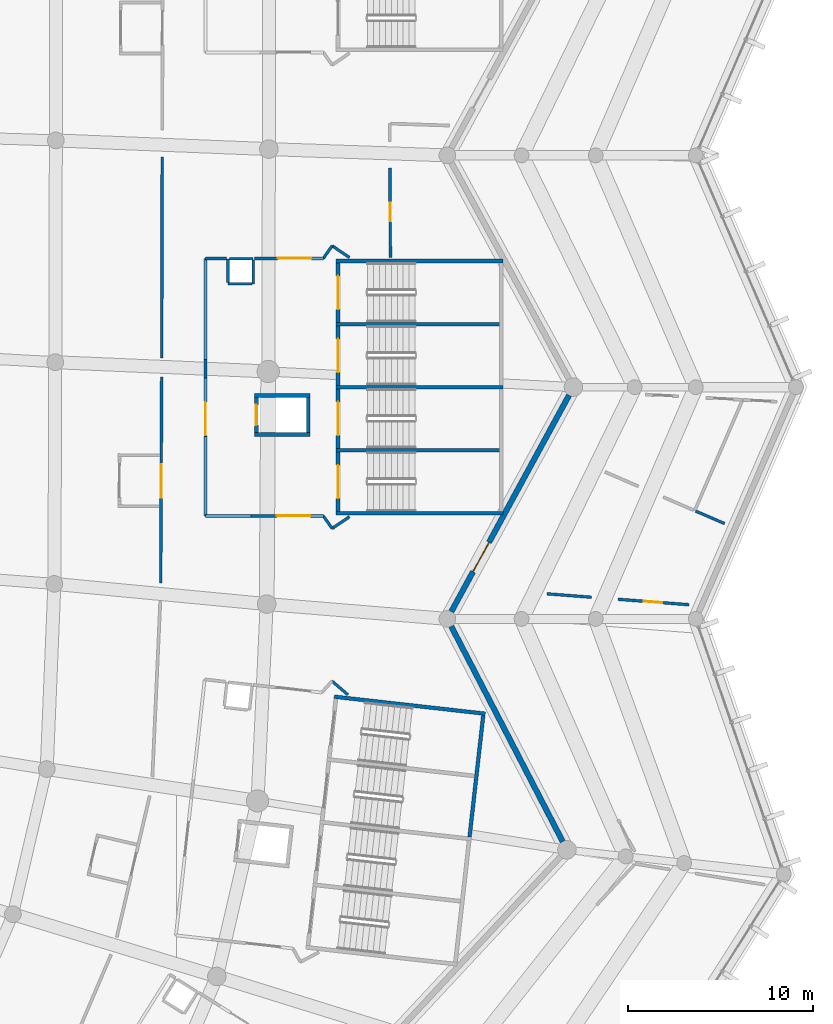
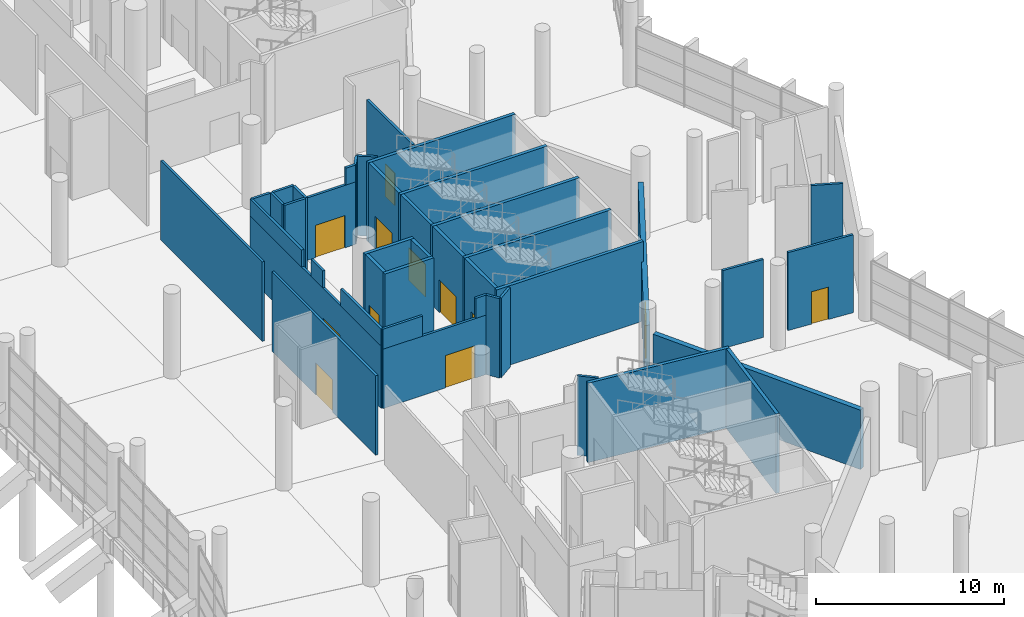
# One storey, part 177 of 271: 42 walls, 12 doors, 12 openings.
"""IFC4 building model written with IfcOpenShell, lengths in metres."""

from ifc_helpers import new_model, si_unit, direction, frame, frame_2d, origin, place, context, subcontext, project, spatial, rectangle, extrude, material, layer, layer_set, type_object, element, fill, save


model = new_model("IFC4")

# Units and contexts
model_context = context("Model", 3, precision=1e-05, world=origin(), true_north=direction((0.0, 1.0)))
body_context = subcontext(model_context, "Body", "Model", "MODEL_VIEW")
ifc_project = project(units=[si_unit("LENGTHUNIT", "METRE"), si_unit("AREAUNIT", "SQUARE_METRE"), si_unit("VOLUMEUNIT", "CUBIC_METRE"), si_unit("PLANEANGLEUNIT", "RADIAN"), si_unit("MASSUNIT", "GRAM", prefix="KILO")], contexts=[model_context])

# Site, building, storey
site_placement = place(None, origin())
site = spatial("IfcSite", under=ifc_project, at=site_placement, CompositionType="ELEMENT")
building_placement = place(site_placement, origin())
building = spatial("IfcBuilding", under=site, at=building_placement, Name="Meseta Stadium", CompositionType="ELEMENT")
storey_placement = place(building_placement, frame((0.0, 0.0, 6.5)))
storey = spatial("IfcBuildingStorey", under=building, at=storey_placement, Name="L01", CompositionType="ELEMENT", Elevation=6.5)

# Walls
ifc_material_1 = material(Name="Concrete C40/50", Category="concrete")
ifc_layer_1 = layer(ifc_material_1, 0.199951171875)
ifc_layer_set_1 = layer_set([ifc_layer_1], Name="Core divider wall 200")
wall_type_1 = type_object("IfcWallType", Name="Core divider wall 200", PredefinedType="SHEAR", material=ifc_layer_set_1)
for number, where, z_axis, x_axis, name in (
    (1, (97.60009765625, -34.64990234375, 0.0), (0.0, 0.0, 1.0), (-1.0, 0.0, 0.0), "Core 02 L01 stair A divider wall"),
    (2, (97.60009765625, -27.85009765625, 0.0), (0.0, 0.0, 1.0), (-1.0, 0.0, 0.0), "Core 02 L01 stair B divider wall"),
):
    element("IfcWall", number, at=place(storey_placement, frame(where, z_axis=z_axis, x_axis=x_axis)), inside=storey, type_object=wall_type_1, Name=name, PredefinedType="SHEAR", context=body_context, shape_type="SweptSolid", body=[
        extrude(rectangle(XDim=9.0, YDim=0.199951171875, at=frame_2d((4.5, 0.0))), origin(), (0.0, 0.0, 1.0), 5.14990234375),
    ])
ifc_material_2 = material(Name="Concrete C40/50", Category="concrete")
ifc_layer_2 = layer(ifc_material_2, 0.199951171875)
ifc_layer_set_2 = layer_set([ifc_layer_2], Name="Core shaft wall 200")
wall_type_2 = type_object("IfcWallType", Name="Core shaft wall 200", PredefinedType="SHEAR", material=ifc_layer_set_2)
wall_1_placement = place(storey_placement, frame((96.645751953125, -48.86328125, 0.0), z_axis=(0.0, 0.0, 1.0), x_axis=(-0.993714104693, 0.111947658007, 0.0)))
element("IfcWall", 3, at=wall_1_placement, inside=storey, type_object=wall_type_2, Name="Core 01 L01 stair wall B-side", PredefinedType="SHEAR", context=body_context, shape_type="SweptSolid", body=[
    extrude(rectangle(XDim=8.199951171875, YDim=0.199951171875, at=frame_2d((4.10009765625, 0.0))), origin(), (0.0, 0.0, 1.0), 5.14990234375),
])
wall_2_placement = place(storey_placement, frame((95.796142578125, -55.510009765625, 0.0), z_axis=(0.0, 0.0, 1.0), x_axis=(0.111970106426, 0.993711575492, 0.0)))
element("IfcWall", 4, at=wall_2_placement, inside=storey, type_object=wall_type_2, Name="Core 01 L01 stair B outer end wall", PredefinedType="SHEAR", context=body_context, shape_type="SweptSolid", body=[
    extrude(rectangle(XDim=6.60009765625, YDim=0.199951171875, at=frame_2d((3.300048828125, 0.0))), origin(), (0.0, 0.0, 1.0), 5.14990234375),
])
for number, where, z_axis, x_axis, name in (
    (5, (97.60009765625, -38.050048828125, 0.0), (0.0, 0.0, 1.0), (-1.0, 0.0, 0.0), "Core 02 L01 stair wall A-side"),
    (6, (97.60009765625, -31.25, 0.0), (0.0, 0.0, 1.0), (-1.0, 0.0, 0.0), "Core 02 L01 stair wall shared"),
    (7, (97.60009765625, -24.449951171875, 0.0), (0.0, 0.0, 1.0), (-1.0, 0.0, 0.0), "Core 02 L01 stair wall B-side"),
):
    element("IfcWall", number, at=place(storey_placement, frame(where, z_axis=z_axis, x_axis=x_axis)), inside=storey, type_object=wall_type_2, Name=name, PredefinedType="SHEAR", context=body_context, shape_type="SweptSolid", body=[
        extrude(rectangle(XDim=9.0, YDim=0.199951171875, at=frame_2d((4.5, 0.0))), origin(), (0.0, 0.0, 1.0), 5.14990234375),
    ])

# Wall, opening, door
wall_3_placement = place(storey_placement, frame((88.699951171875, -37.949951171875, 0.0), z_axis=(0.0, 0.0, 1.0), x_axis=(0.0, 1.0, 0.0)))
wall_3 = element("IfcWall", 8, at=wall_3_placement, inside=storey, type_object=wall_type_2, Name="Core 02 L01 stair A1 inner end wall", PredefinedType="SHEAR", context=body_context, shape_type="SweptSolid", body=[
    extrude(rectangle(XDim=3.199951171875, YDim=0.199951171875, at=frame_2d((1.60009765625, 0.0))), origin(), (0.0, 0.0, 1.0), 5.14990234375),
])
opening_1_placement = place(wall_3_placement, frame((0.699951171875, 0.0, 0.0)))
opening_1 = element("IfcOpeningElement", 9, at=opening_1_placement, cuts=wall_3, Name="Opening D051", PredefinedType="OPENING", context=body_context, shape_type="SweptSolid", body=[
    extrude(rectangle(XDim=1.800048828125, YDim=2.10009765625, at=frame_2d((0.89990234375, 1.050048828125))), frame((0.0, 0.10986328125, 0.0), z_axis=(0.0, -1.0, 0.0), x_axis=(1.0, 0.0, 0.0)), (0.0, 0.0, 1.0), 0.219970703125),
])
ifc_material_3 = material(Name="Steel", Category="steel")
door_type_1 = type_object("IfcDoorType", Name="Stair door 1800x2100", OperationType="DOUBLE_DOOR_SINGLE_SWING", PredefinedType="DOOR", material=ifc_material_3)
door_1_placement = place(opening_1_placement, origin())
door_1 = element("IfcDoor", 10, at=door_1_placement, inside=storey, type_object=door_type_1, Name="Stair A1 door 02 L01", OperationType="DOUBLE_DOOR_SINGLE_SWING", OverallHeight=2.10009765625, OverallWidth=1.800048828125, PredefinedType="DOOR", context=body_context, shape_type="SweptSolid", body=[
    extrude(rectangle(XDim=1.800048828125, YDim=2.10009765625, at=frame_2d((0.89990234375, 1.050048828125))), frame((0.0, 0.02490234375, 0.0), z_axis=(0.0, -1.0, 0.0), x_axis=(1.0, 0.0, 0.0)), (0.0, 0.0, 1.0), 0.050048828125),
])
fill(opening_1, door_1)

wall_4_placement = place(storey_placement, frame((88.699951171875, -34.550048828125, 0.0), z_axis=(0.0, 0.0, 1.0), x_axis=(0.0, 1.0, 0.0)))
wall_4 = element("IfcWall", 11, at=wall_4_placement, inside=storey, type_object=wall_type_2, Name="Core 02 L01 stair A2 inner end wall", PredefinedType="SHEAR", context=body_context, shape_type="SweptSolid", body=[
    extrude(rectangle(XDim=3.199951171875, YDim=0.199951171875, at=frame_2d((1.60009765625, 0.0))), origin(), (0.0, 0.0, 1.0), 5.14990234375),
])
opening_2_placement = place(wall_4_placement, frame((0.699951171875, 0.0, 0.0)))
opening_2 = element("IfcOpeningElement", 12, at=opening_2_placement, cuts=wall_4, Name="Opening D052", PredefinedType="OPENING", context=body_context, shape_type="SweptSolid", body=[
    extrude(rectangle(XDim=1.800048828125, YDim=2.10009765625, at=frame_2d((0.89990234375, 1.050048828125))), frame((0.0, 0.10986328125, 0.0), z_axis=(0.0, -1.0, 0.0), x_axis=(1.0, 0.0, 0.0)), (0.0, 0.0, 1.0), 0.219970703125),
])
door_2_placement = place(opening_2_placement, origin())
door_2 = element("IfcDoor", 13, at=door_2_placement, inside=storey, type_object=door_type_1, Name="Stair A2 door 02 L01", OperationType="DOUBLE_DOOR_SINGLE_SWING", OverallHeight=2.10009765625, OverallWidth=1.800048828125, PredefinedType="DOOR", context=body_context, shape_type="SweptSolid", body=[
    extrude(rectangle(XDim=1.800048828125, YDim=2.10009765625, at=frame_2d((0.89990234375, 1.050048828125))), frame((0.0, 0.02490234375, 0.0), z_axis=(0.0, -1.0, 0.0), x_axis=(1.0, 0.0, 0.0)), (0.0, 0.0, 1.0), 0.050048828125),
])
fill(opening_2, door_2)

wall_5_placement = place(storey_placement, frame((88.699951171875, -31.14990234375, 0.0), z_axis=(0.0, 0.0, 1.0), x_axis=(0.0, 1.0, 0.0)))
wall_5 = element("IfcWall", 14, at=wall_5_placement, inside=storey, type_object=wall_type_2, Name="Core 02 L01 stair B1 inner end wall", PredefinedType="SHEAR", context=body_context, shape_type="SweptSolid", body=[
    extrude(rectangle(XDim=3.199951171875, YDim=0.199951171875, at=frame_2d((1.60009765625, 0.0))), origin(), (0.0, 0.0, 1.0), 5.14990234375),
])
opening_3_placement = place(wall_5_placement, frame((0.699951171875, 0.0, 0.0)))
opening_3 = element("IfcOpeningElement", 15, at=opening_3_placement, cuts=wall_5, Name="Opening D053", PredefinedType="OPENING", context=body_context, shape_type="SweptSolid", body=[
    extrude(rectangle(XDim=1.800048828125, YDim=2.10009765625, at=frame_2d((0.89990234375, 1.050048828125))), frame((0.0, 0.10986328125, 0.0), z_axis=(0.0, -1.0, 0.0), x_axis=(1.0, 0.0, 0.0)), (0.0, 0.0, 1.0), 0.219970703125),
])
door_3_placement = place(opening_3_placement, origin())
door_3 = element("IfcDoor", 16, at=door_3_placement, inside=storey, type_object=door_type_1, Name="Stair B1 door 02 L01", OperationType="DOUBLE_DOOR_SINGLE_SWING", OverallHeight=2.10009765625, OverallWidth=1.800048828125, PredefinedType="DOOR", context=body_context, shape_type="SweptSolid", body=[
    extrude(rectangle(XDim=1.800048828125, YDim=2.10009765625, at=frame_2d((0.89990234375, 1.050048828125))), frame((0.0, 0.02490234375, 0.0), z_axis=(0.0, -1.0, 0.0), x_axis=(1.0, 0.0, 0.0)), (0.0, 0.0, 1.0), 0.050048828125),
])
fill(opening_3, door_3)

wall_6_placement = place(storey_placement, frame((88.699951171875, -27.75, 0.0), z_axis=(0.0, 0.0, 1.0), x_axis=(0.0, 1.0, 0.0)))
wall_6 = element("IfcWall", 17, at=wall_6_placement, inside=storey, type_object=wall_type_2, Name="Core 02 L01 stair B2 inner end wall", PredefinedType="SHEAR", context=body_context, shape_type="SweptSolid", body=[
    extrude(rectangle(XDim=3.199951171875, YDim=0.199951171875, at=frame_2d((1.60009765625, 0.0))), origin(), (0.0, 0.0, 1.0), 5.14990234375),
])
opening_4_placement = place(wall_6_placement, frame((0.699951171875, 0.0, 0.0)))
opening_4 = element("IfcOpeningElement", 18, at=opening_4_placement, cuts=wall_6, Name="Opening D054", PredefinedType="OPENING", context=body_context, shape_type="SweptSolid", body=[
    extrude(rectangle(XDim=1.800048828125, YDim=2.10009765625, at=frame_2d((0.89990234375, 1.050048828125))), frame((0.0, 0.10986328125, 0.0), z_axis=(0.0, -1.0, 0.0), x_axis=(1.0, 0.0, 0.0)), (0.0, 0.0, 1.0), 0.219970703125),
])
door_4_placement = place(opening_4_placement, origin())
door_4 = element("IfcDoor", 19, at=door_4_placement, inside=storey, type_object=door_type_1, Name="Stair B2 door 02 L01", OperationType="DOUBLE_DOOR_SINGLE_SWING", OverallHeight=2.10009765625, OverallWidth=1.800048828125, PredefinedType="DOOR", context=body_context, shape_type="SweptSolid", body=[
    extrude(rectangle(XDim=1.800048828125, YDim=2.10009765625, at=frame_2d((0.89990234375, 1.050048828125))), frame((0.0, 0.02490234375, 0.0), z_axis=(0.0, -1.0, 0.0), x_axis=(1.0, 0.0, 0.0)), (0.0, 0.0, 1.0), 0.050048828125),
])
fill(opening_4, door_4)

# Walls
for number, where, z_axis, x_axis, name in (
    (20, (87.199951171875, -33.800048828125, 0.0), (0.0, 0.0, 1.0), (-1.0, 0.0, 0.0), "Core 02 L01 lift shaft wall left"),
    (21, (87.199951171875, -31.699951171875, 0.0), (0.0, 0.0, 1.0), (-1.0, 0.0, 0.0), "Core 02 L01 lift shaft wall right"),
):
    element("IfcWall", number, at=place(storey_placement, frame(where, z_axis=z_axis, x_axis=x_axis)), inside=storey, type_object=wall_type_2, Name=name, PredefinedType="SHEAR", context=body_context, shape_type="SweptSolid", body=[
        extrude(rectangle(XDim=3.0, YDim=0.199951171875, at=frame_2d((1.5, 0.0))), origin(), (0.0, 0.0, 1.0), 5.14990234375),
    ])
wall_7_placement = place(storey_placement, frame((87.10009765625, -33.699951171875, 0.0), z_axis=(0.0, 0.0, 1.0), x_axis=(0.0, 1.0, 0.0)))
element("IfcWall", 22, at=wall_7_placement, inside=storey, type_object=wall_type_2, Name="Core 02 L01 lift shaft back wall", PredefinedType="SHEAR", context=body_context, shape_type="SweptSolid", body=[
    extrude(rectangle(XDim=1.89990234375, YDim=0.199951171875, at=frame_2d((0.949951171875, 0.0))), origin(), (0.0, 0.0, 1.0), 5.14990234375),
])

# Wall, opening, door
wall_8_placement = place(storey_placement, frame((84.300048828125, -33.699951171875, 0.0), z_axis=(0.0, 0.0, 1.0), x_axis=(0.0, 1.0, 0.0)))
wall_8 = element("IfcWall", 23, at=wall_8_placement, inside=storey, type_object=wall_type_2, Name="Core 02 L01 lift shaft front wall", PredefinedType="SHEAR", context=body_context, shape_type="SweptSolid", body=[
    extrude(rectangle(XDim=1.89990234375, YDim=0.199951171875, at=frame_2d((0.949951171875, 0.0))), origin(), (0.0, 0.0, 1.0), 5.14990234375),
])
opening_5_placement = place(wall_8_placement, frame((0.39990234375, 0.0, 0.0)))
opening_5 = element("IfcOpeningElement", 24, at=opening_5_placement, cuts=wall_8, Name="Opening LD9", PredefinedType="OPENING", context=body_context, shape_type="SweptSolid", body=[
    extrude(rectangle(XDim=1.10009765625, YDim=2.10009765625, at=frame_2d((0.550048828125, 1.050048828125))), frame((0.0, 0.10986328125, 0.0), z_axis=(0.0, -1.0, 0.0), x_axis=(1.0, 0.0, 0.0)), (0.0, 0.0, 1.0), 0.219970703125),
])
ifc_material_4 = material(Name="Steel", Category="steel")
door_type_2 = type_object("IfcDoorType", Name="Lift landing door 1100x2100", OperationType="SLIDING_TO_LEFT", PredefinedType="DOOR", material=ifc_material_4)
door_5_placement = place(opening_5_placement, origin())
door_5 = element("IfcDoor", 25, at=door_5_placement, inside=storey, type_object=door_type_2, Name="Lift landing door LD9", OperationType="SLIDING_TO_LEFT", OverallHeight=2.10009765625, OverallWidth=1.10009765625, PredefinedType="DOOR", context=body_context, shape_type="SweptSolid", body=[
    extrude(rectangle(XDim=1.10009765625, YDim=2.10009765625, at=frame_2d((0.550048828125, 1.050048828125))), frame((0.0, 0.02490234375, 0.0), z_axis=(0.0, -1.0, 0.0), x_axis=(1.0, 0.0, 0.0)), (0.0, 0.0, 1.0), 0.050048828125),
])
fill(opening_5, door_5)

ifc_material_5 = material(Name="Masonry blockwork", Category="masonry")
ifc_layer_3 = layer(ifc_material_5, 0.14990234375)
ifc_layer_set_3 = layer_set([ifc_layer_3], Name="Partition 150")
wall_type_3 = type_object("IfcWallType", Name="Partition 150", PredefinedType="PARTITIONING", material=ifc_layer_set_3)
wall_9_placement = place(storey_placement, frame((79.1904296875, -30.7021484375, 0.0), z_axis=(0.0, 0.0, 1.0), x_axis=(-0.004546006523, -0.999989666859, 0.0)))
wall_9 = element("IfcWall", 26, at=wall_9_placement, inside=storey, type_object=wall_type_3, Name="Partition L01 L01-cell00-0-0", PredefinedType="PARTITIONING", context=body_context, shape_type="SweptSolid", body=[
    extrude(rectangle(XDim=11.11669921875, YDim=0.14990234375, at=frame_2d((5.558349609375, 0.0))), origin(), (0.0, 0.0, 1.0), 5.14990234375),
])
opening_6_placement = place(wall_9_placement, frame((4.699951171875, 0.0, 0.0)))
opening_6 = element("IfcOpeningElement", 27, at=opening_6_placement, cuts=wall_9, Name="Opening D639", PredefinedType="OPENING", context=body_context, shape_type="SweptSolid", body=[
    extrude(rectangle(XDim=1.800048828125, YDim=2.10009765625, at=frame_2d((0.89990234375, 1.050048828125))), frame((0.0, 0.0849609375, 0.0), z_axis=(0.0, -1.0, 0.0), x_axis=(1.0, 0.0, 0.0)), (0.0, 0.0, 1.0), 0.169921875),
])
ifc_material_6 = material(Name="Steel", Category="steel")
door_type_3 = type_object("IfcDoorType", Name="Fire double door 1800x2100 EI2 60", OperationType="DOUBLE_DOOR_SINGLE_SWING", PredefinedType="DOOR", material=ifc_material_6)
door_6_placement = place(opening_6_placement, origin())
door_6 = element("IfcDoor", 28, at=door_6_placement, inside=storey, type_object=door_type_3, Name="Door D639", OperationType="DOUBLE_DOOR_SINGLE_SWING", OverallHeight=2.10009765625, OverallWidth=1.800048828125, PredefinedType="DOOR", context=body_context, shape_type="SweptSolid", body=[
    extrude(rectangle(XDim=1.800048828125, YDim=2.10009765625, at=frame_2d((0.89990234375, 1.050048828125))), frame((0.0, 0.02490234375, 0.0), z_axis=(0.0, -1.0, 0.0), x_axis=(1.0, 0.0, 0.0)), (0.0, 0.0, 1.0), 0.050048828125),
])
fill(opening_6, door_6)

# Wall
wall_10_placement = place(storey_placement, frame((79.218505859375, -18.84521484375, 0.0), z_axis=(0.0, 0.0, 1.0), x_axis=(-0.002254023351, -0.999997459686, 0.0)))
element("IfcWall", 29, at=wall_10_placement, inside=storey, type_object=wall_type_3, Name="Partition L01 L01-cell01-0-0", PredefinedType="PARTITIONING", context=body_context, shape_type="SweptSolid", body=[
    extrude(rectangle(XDim=10.831298828125, YDim=0.14990234375, at=frame_2d((5.41552734375, 0.0))), origin(), (0.0, 0.0, 1.0), 5.14990234375),
])

# Wall, opening, door
wall_11_placement = place(storey_placement, frame((91.528564453125, -24.25, 0.0), z_axis=(0.0, 0.0, 1.0), x_axis=(-0.00568461021, 0.999983842473, 0.0)))
wall_11 = element("IfcWall", 30, at=wall_11_placement, inside=storey, type_object=wall_type_3, Name="Partition L01 L01-cell01-2-0w", PredefinedType="PARTITIONING", context=body_context, shape_type="SweptSolid", body=[
    extrude(rectangle(XDim=4.81005859375, YDim=0.14990234375, at=frame_2d((2.405029296875, 0.0))), origin(), (0.0, 0.0, 1.0), 5.14990234375),
])
opening_7_placement = place(wall_11_placement, frame((1.949951171875, 0.0, 0.0)))
opening_7 = element("IfcOpeningElement", 31, at=opening_7_placement, cuts=wall_11, Name="Opening D641", PredefinedType="OPENING", context=body_context, shape_type="SweptSolid", body=[
    extrude(rectangle(XDim=1.0, YDim=2.10009765625, at=frame_2d((0.5, 1.050048828125))), frame((0.0, 0.0849609375, 0.0), z_axis=(0.0, -1.0, 0.0), x_axis=(1.0, 0.0, 0.0)), (0.0, 0.0, 1.0), 0.169921875),
])
ifc_material_7 = material(Name="Timber", Category="wood")
door_type_4 = type_object("IfcDoorType", Name="Room door 1000x2100", OperationType="NOTDEFINED", PredefinedType="DOOR", material=ifc_material_7)
door_7_placement = place(opening_7_placement, origin())
door_7 = element("IfcDoor", 32, at=door_7_placement, inside=storey, type_object=door_type_4, Name="Door D641", OperationType="SINGLE_SWING_LEFT", OverallHeight=2.10009765625, OverallWidth=1.0, PredefinedType="DOOR", context=body_context, shape_type="SweptSolid", body=[
    extrude(rectangle(XDim=1.0, YDim=2.10009765625, at=frame_2d((0.5, 1.050048828125))), frame((0.0, 0.02490234375, 0.0), z_axis=(0.0, -1.0, 0.0), x_axis=(1.0, 0.0, 0.0)), (0.0, 0.0, 1.0), 0.050048828125),
])
fill(opening_7, door_7)

# Wall
wall_12_placement = place(storey_placement, frame((109.550048828125, -38.608154296875, 0.0), z_axis=(0.0, 0.0, 1.0), x_axis=(-0.91801494681, 0.396545782267, 0.0)))
element("IfcWall", 33, at=wall_12_placement, inside=storey, type_object=wall_type_3, Name="Partition L01 L01-ring00-0b2", PredefinedType="PARTITIONING", context=body_context, shape_type="SweptSolid", body=[
    extrude(rectangle(XDim=1.7041015625, YDim=0.14990234375, at=frame_2d((0.85205078125, 0.0))), origin(), (0.0, 0.0, 1.0), 5.050048828125),
])

# Wall, opening, door
wall_13_placement = place(storey_placement, frame((107.62939453125, -42.984619140625, 0.0), z_axis=(0.0, 0.0, 1.0), x_axis=(-0.997067940223, 0.076521386417, 0.0)))
wall_13 = element("IfcWall", 34, at=wall_13_placement, inside=storey, type_object=wall_type_3, Name="Partition L01 L01-ring00-0b3", PredefinedType="PARTITIONING", context=body_context, shape_type="SweptSolid", body=[
    extrude(rectangle(XDim=3.838134765625, YDim=0.14990234375, at=frame_2d((1.9189453125, 0.0))), origin(), (0.0, 0.0, 1.0), 5.050048828125),
])
opening_8_placement = place(wall_13_placement, frame((1.449951171875, 0.0, 0.0)))
opening_8 = element("IfcOpeningElement", 35, at=opening_8_placement, cuts=wall_13, Name="Opening D682", PredefinedType="OPENING", context=body_context, shape_type="SweptSolid", body=[
    extrude(rectangle(XDim=1.0, YDim=2.10009765625, at=frame_2d((0.5, 1.050048828125))), frame((0.0, 0.0849609375, 0.0), z_axis=(0.0, -1.0, 0.0), x_axis=(1.0, 0.0, 0.0)), (0.0, 0.0, 1.0), 0.169921875),
])
door_8_placement = place(opening_8_placement, origin())
door_8 = element("IfcDoor", 36, at=door_8_placement, inside=storey, type_object=door_type_4, Name="Door D682", OperationType="SINGLE_SWING_RIGHT", OverallHeight=2.10009765625, OverallWidth=1.0, PredefinedType="DOOR", context=body_context, shape_type="SweptSolid", body=[
    extrude(rectangle(XDim=1.0, YDim=2.10009765625, at=frame_2d((0.5, 1.050048828125))), frame((0.0, 0.02490234375, 0.0), z_axis=(0.0, -1.0, 0.0), x_axis=(1.0, 0.0, 0.0)), (0.0, 0.0, 1.0), 0.050048828125),
])
fill(opening_8, door_8)

# Walls
wall_14_placement = place(storey_placement, frame((102.3671875, -42.580810546875, 0.0), z_axis=(0.0, 0.0, 1.0), x_axis=(-0.997066447822, 0.076540829804, 0.0)))
element("IfcWall", 37, at=wall_14_placement, inside=storey, type_object=wall_type_3, Name="Partition L01 L01-ring00-0b3", PredefinedType="PARTITIONING", context=body_context, shape_type="SweptSolid", body=[
    extrude(rectangle(XDim=2.398681640625, YDim=0.14990234375, at=frame_2d((1.19921875, 0.0))), origin(), (0.0, 0.0, 1.0), 5.050048828125),
])
wall_15_placement = place(storey_placement, frame((89.233642578125, -47.83740234375, 0.0), z_axis=(0.0, 0.0, 1.0), x_axis=(-0.758950911089, 0.651147843855, 0.0)))
element("IfcWall", 38, at=wall_15_placement, inside=storey, type_object=wall_type_3, Name="Stair vestibule wall L01 core 01", PredefinedType="PARTITIONING", context=body_context, shape_type="SweptSolid", body=[
    extrude(rectangle(XDim=1.1279296875, YDim=0.14990234375, at=frame_2d((0.56396484375, 0.0))), origin(), (0.0, 0.0, 1.0), 5.14990234375),
])
wall_16_placement = place(storey_placement, frame((84.125, -25.675048828125, 0.0), z_axis=(0.0, 0.0, 1.0), x_axis=(0.0, 1.0, 0.0)))
element("IfcWall", 39, at=wall_16_placement, inside=storey, type_object=wall_type_3, Name="Pressurisation shaft wall L01 core 02", PredefinedType="PARTITIONING", context=body_context, shape_type="SweptSolid", body=[
    extrude(rectangle(XDim=1.275146484375, YDim=0.14990234375, at=frame_2d((0.6376953125, 0.0))), origin(), (0.0, 0.0, 1.0), 5.14990234375),
])
wall_17_placement = place(storey_placement, frame((84.125, -24.324951171875, 0.0), z_axis=(0.0, 0.0, 1.0), x_axis=(-1.0, 0.0, 0.0)))
element("IfcWall", 40, at=wall_17_placement, inside=storey, type_object=wall_type_3, Name="Pressurisation shaft wall L01 core 02", PredefinedType="PARTITIONING", context=body_context, shape_type="SweptSolid", body=[
    extrude(rectangle(XDim=1.27490234375, YDim=0.14990234375, at=frame_2d((0.637451171875, 0.0))), origin(), (0.0, 0.0, 1.0), 5.14990234375),
])
for number, where, z_axis, x_axis, name in (
    (41, (82.77490234375, -24.324951171875, 0.0), (0.0, 0.0, 1.0), (0.0, -1.0, 0.0), "Pressurisation shaft wall L01 core 02"),
    (42, (82.77490234375, -25.675048828125, 0.0), (0.0, 0.0, 1.0), (1.0, 0.0, 0.0), "Pressurisation shaft wall L01 core 02"),
):
    element("IfcWall", number, at=place(storey_placement, frame(where, z_axis=z_axis, x_axis=x_axis)), inside=storey, type_object=wall_type_3, Name=name, PredefinedType="PARTITIONING", context=body_context, shape_type="SweptSolid", body=[
        extrude(rectangle(XDim=1.275146484375, YDim=0.14990234375, at=frame_2d((0.6376953125, 0.0))), origin(), (0.0, 0.0, 1.0), 5.14990234375),
    ])
wall_18_placement = place(storey_placement, frame((82.68994140625, -24.304931640625, 0.0), z_axis=(0.0, 0.0, 1.0), x_axis=(-1.0, 0.0, 0.0)))
element("IfcWall", 43, at=wall_18_placement, inside=storey, type_object=wall_type_3, Name="Stair vestibule wall L01 core 02", PredefinedType="PARTITIONING", context=body_context, shape_type="SweptSolid", body=[
    extrude(rectangle(XDim=1.135009765625, YDim=0.14990234375, at=frame_2d((0.5673828125, 0.0))), origin(), (0.0, 0.0, 1.0), 5.14990234375),
])

# Wall, opening, door
wall_19_placement = place(storey_placement, frame((81.554931640625, -24.304931640625, 0.0), z_axis=(0.0, 0.0, 1.0), x_axis=(0.0, -1.0, 0.0)))
wall_19 = element("IfcWall", 44, at=wall_19_placement, inside=storey, type_object=wall_type_3, Name="Stair vestibule wall L01 core 02", PredefinedType="PARTITIONING", context=body_context, shape_type="SweptSolid", body=[
    extrude(rectangle(XDim=13.89013671875, YDim=0.14990234375, at=frame_2d((6.945068359375, 0.0))), origin(), (0.0, 0.0, 1.0), 4.050048828125),
])
opening_9_placement = place(wall_19_placement, frame((7.75, 0.0, 0.0)))
opening_9 = element("IfcOpeningElement", 45, at=opening_9_placement, cuts=wall_19, Name="Opening D747", PredefinedType="OPENING", context=body_context, shape_type="SweptSolid", body=[
    extrude(rectangle(XDim=1.800048828125, YDim=2.10009765625, at=frame_2d((0.89990234375, 1.050048828125))), frame((0.0, 0.0849609375, 0.0), z_axis=(0.0, -1.0, 0.0), x_axis=(1.0, 0.0, 0.0)), (0.0, 0.0, 1.0), 0.169921875),
])
door_9_placement = place(opening_9_placement, origin())
door_9 = element("IfcDoor", 46, at=door_9_placement, inside=storey, type_object=door_type_3, Name="Stair vestibule door L01 core 02", OperationType="DOUBLE_DOOR_SINGLE_SWING", OverallHeight=2.10009765625, OverallWidth=1.800048828125, PredefinedType="DOOR", context=body_context, shape_type="SweptSolid", body=[
    extrude(rectangle(XDim=1.800048828125, YDim=2.10009765625, at=frame_2d((0.89990234375, 1.050048828125))), frame((0.0, 0.02490234375, 0.0), z_axis=(0.0, -1.0, 0.0), x_axis=(1.0, 0.0, 0.0)), (0.0, 0.0, 1.0), 0.050048828125),
])
fill(opening_9, door_9)

# Walls
wall_20_placement = place(storey_placement, frame((81.554931640625, -24.304931640625, 4.050048828125), z_axis=(0.0, 0.0, 1.0), x_axis=(0.0, -1.0, 0.0)))
element("IfcWall", 47, at=wall_20_placement, inside=storey, type_object=wall_type_3, Name="Stair vestibule wall L01 core 02", PredefinedType="PARTITIONING", context=body_context, shape_type="SweptSolid", body=[
    extrude(rectangle(XDim=5.456787109375, YDim=0.14990234375, at=frame_2d((2.728515625, 0.0))), origin(), (0.0, 0.0, 1.0), 1.099853515625),
])
wall_21_placement = place(storey_placement, frame((81.554931640625, -33.905029296875, 4.050048828125), z_axis=(0.0, 0.0, 1.0), x_axis=(0.0, -1.0, 0.0)))
element("IfcWall", 48, at=wall_21_placement, inside=storey, type_object=wall_type_3, Name="Stair vestibule wall L01 core 02", PredefinedType="PARTITIONING", context=body_context, shape_type="SweptSolid", body=[
    extrude(rectangle(XDim=4.2900390625, YDim=0.14990234375, at=frame_2d((2.14501953125, 0.0))), origin(), (0.0, 0.0, 1.0), 1.099853515625),
])

# Wall, opening, door
wall_22_placement = place(storey_placement, frame((81.554931640625, -38.195068359375, 0.0), z_axis=(0.0, 0.0, 1.0), x_axis=(1.0, 0.0, 0.0)))
wall_22 = element("IfcWall", 49, at=wall_22_placement, inside=storey, type_object=wall_type_3, Name="Stair vestibule wall L01 core 02", PredefinedType="PARTITIONING", context=body_context, shape_type="SweptSolid", body=[
    extrude(rectangle(XDim=6.354248046875, YDim=0.14990234375, at=frame_2d((3.17724609375, 0.0))), origin(), (0.0, 0.0, 1.0), 3.85009765625),
])
opening_10_placement = place(wall_22_placement, frame((3.85009765625, 0.0, 0.0)))
opening_10 = element("IfcOpeningElement", 50, at=opening_10_placement, cuts=wall_22, Name="Opening D749", PredefinedType="OPENING", context=body_context, shape_type="SweptSolid", body=[
    extrude(rectangle(XDim=1.800048828125, YDim=2.10009765625, at=frame_2d((0.89990234375, 1.050048828125))), frame((0.0, 0.0849609375, 0.0), z_axis=(0.0, -1.0, 0.0), x_axis=(1.0, 0.0, 0.0)), (0.0, 0.0, 1.0), 0.169921875),
])
door_10_placement = place(opening_10_placement, origin())
door_10 = element("IfcDoor", 51, at=door_10_placement, inside=storey, type_object=door_type_3, Name="Stair vestibule door L01 core 02", OperationType="DOUBLE_DOOR_SINGLE_SWING", OverallHeight=2.10009765625, OverallWidth=1.800048828125, PredefinedType="DOOR", context=body_context, shape_type="SweptSolid", body=[
    extrude(rectangle(XDim=1.800048828125, YDim=2.10009765625, at=frame_2d((0.89990234375, 1.050048828125))), frame((0.0, 0.02490234375, 0.0), z_axis=(0.0, -1.0, 0.0), x_axis=(1.0, 0.0, 0.0)), (0.0, 0.0, 1.0), 0.050048828125),
])
fill(opening_10, door_10)

# Walls
wall_23_placement = place(storey_placement, frame((81.554931640625, -38.195068359375, 3.85009765625), z_axis=(0.0, 0.0, 1.0), x_axis=(1.0, 0.0, 0.0)))
element("IfcWall", 52, at=wall_23_placement, inside=storey, type_object=wall_type_3, Name="Stair vestibule wall L01 core 02", PredefinedType="PARTITIONING", context=body_context, shape_type="SweptSolid", body=[
    extrude(rectangle(XDim=2.444091796875, YDim=0.14990234375, at=frame_2d((1.22216796875, 0.0))), origin(), (0.0, 0.0, 1.0), 1.2998046875),
])
wall_24_placement = place(storey_placement, frame((87.2548828125, -38.195068359375, 3.85009765625), z_axis=(0.0, 0.0, 1.0), x_axis=(1.0, 0.0, 0.0)))
element("IfcWall", 53, at=wall_24_placement, inside=storey, type_object=wall_type_3, Name="Stair vestibule wall L01 core 02", PredefinedType="PARTITIONING", context=body_context, shape_type="SweptSolid", body=[
    extrude(rectangle(XDim=0.654296875, YDim=0.14990234375, at=frame_2d((0.3271484375, 0.0))), origin(), (0.0, 0.0, 1.0), 1.2998046875),
])
wall_25_placement = place(storey_placement, frame((87.9091796875, -38.195068359375, 0.0), z_axis=(0.0, 0.0, 1.0), x_axis=(0.575573582652, -0.81774999294, 0.0)))
element("IfcWall", 54, at=wall_25_placement, inside=storey, type_object=wall_type_3, Name="Stair vestibule wall L01 core 02", PredefinedType="PARTITIONING", context=body_context, shape_type="SweptSolid", body=[
    extrude(rectangle(XDim=0.82958984375, YDim=0.14990234375, at=frame_2d((0.414794921875, 0.0))), origin(), (0.0, 0.0, 1.0), 5.14990234375),
])
for number, where, z_axis, x_axis, name in (
    (55, (88.38671875, -38.87353515625, 0.0), (0.0, 0.0, 1.0), (0.827055308354, 0.562120553728, 0.0), "Stair vestibule wall L01 core 02"),
    (56, (89.319580078125, -24.260498046875, 0.0), (0.0, 0.0, 1.0), (-0.827055308354, 0.562120553728, 0.0), "Stair vestibule wall L01 core 02"),
):
    element("IfcWall", number, at=place(storey_placement, frame(where, z_axis=z_axis, x_axis=x_axis)), inside=storey, type_object=wall_type_3, Name=name, PredefinedType="PARTITIONING", context=body_context, shape_type="SweptSolid", body=[
        extrude(rectangle(XDim=1.1279296875, YDim=0.14990234375, at=frame_2d((0.56396484375, 0.0))), origin(), (0.0, 0.0, 1.0), 5.14990234375),
    ])
wall_26_placement = place(storey_placement, frame((88.38671875, -23.62646484375, 0.0), z_axis=(0.0, 0.0, 1.0), x_axis=(-0.575376756214, -0.817888493872, 0.0)))
element("IfcWall", 57, at=wall_26_placement, inside=storey, type_object=wall_type_3, Name="Stair vestibule wall L01 core 02", PredefinedType="PARTITIONING", context=body_context, shape_type="SweptSolid", body=[
    extrude(rectangle(XDim=0.82958984375, YDim=0.14990234375, at=frame_2d((0.414794921875, 0.0))), origin(), (0.0, 0.0, 1.0), 5.14990234375),
])

# Wall, opening, door
wall_27_placement = place(storey_placement, frame((87.909423828125, -24.304931640625, 0.0), z_axis=(0.0, 0.0, 1.0), x_axis=(-1.0, 0.0, 0.0)))
wall_27 = element("IfcWall", 58, at=wall_27_placement, inside=storey, type_object=wall_type_3, Name="Stair vestibule wall L01 core 02", PredefinedType="PARTITIONING", context=body_context, shape_type="SweptSolid", body=[
    extrude(rectangle(XDim=3.70361328125, YDim=0.14990234375, at=frame_2d((1.851806640625, 0.0))), origin(), (0.0, 0.0, 1.0), 4.050048828125),
])
opening_11_placement = place(wall_27_placement, frame((0.64990234375, 0.0, 0.0)))
opening_11 = element("IfcOpeningElement", 59, at=opening_11_placement, cuts=wall_27, Name="Opening D748", PredefinedType="OPENING", context=body_context, shape_type="SweptSolid", body=[
    extrude(rectangle(XDim=1.800048828125, YDim=2.10009765625, at=frame_2d((0.89990234375, 1.050048828125))), frame((0.0, 0.0849609375, 0.0), z_axis=(0.0, -1.0, 0.0), x_axis=(1.0, 0.0, 0.0)), (0.0, 0.0, 1.0), 0.169921875),
])
door_11_placement = place(opening_11_placement, origin())
door_11 = element("IfcDoor", 60, at=door_11_placement, inside=storey, type_object=door_type_3, Name="Stair vestibule door L01 core 02", OperationType="DOUBLE_DOOR_SINGLE_SWING", OverallHeight=2.10009765625, OverallWidth=1.800048828125, PredefinedType="DOOR", context=body_context, shape_type="SweptSolid", body=[
    extrude(rectangle(XDim=1.800048828125, YDim=2.10009765625, at=frame_2d((0.89990234375, 1.050048828125))), frame((0.0, 0.02490234375, 0.0), z_axis=(0.0, -1.0, 0.0), x_axis=(1.0, 0.0, 0.0)), (0.0, 0.0, 1.0), 0.050048828125),
])
fill(opening_11, door_11)

# Walls
wall_28_placement = place(storey_placement, frame((87.909423828125, -24.304931640625, 4.050048828125), z_axis=(0.0, 0.0, 1.0), x_axis=(-1.0, 0.0, 0.0)))
element("IfcWall", 61, at=wall_28_placement, inside=storey, type_object=wall_type_3, Name="Stair vestibule wall L01 core 02", PredefinedType="PARTITIONING", context=body_context, shape_type="SweptSolid", body=[
    extrude(rectangle(XDim=0.599853515625, YDim=0.14990234375, at=frame_2d((0.2998046875, 0.0))), origin(), (0.0, 0.0, 1.0), 1.099853515625),
])
wall_29_placement = place(storey_placement, frame((81.554931640625, -30.75390625, 4.050048828125), z_axis=(0.0, 0.0, 1.0), x_axis=(0.0, -1.0, 0.0)))
element("IfcWall", 62, at=wall_29_placement, inside=storey, type_object=wall_type_3, Name="Stair vestibule wall L01 core 02", PredefinedType="PARTITIONING", context=body_context, shape_type="SweptSolid", body=[
    extrude(rectangle(XDim=1.2509765625, YDim=0.14990234375, at=frame_2d((0.62548828125, 0.0))), origin(), (0.0, 0.0, 1.0), 1.099853515625),
])
ifc_material_8 = material(Name="White precast concrete C40/50", Category="concrete")
ifc_layer_4 = layer(ifc_material_8, 0.300048828125)
ifc_layer_set_4 = layer_set([ifc_layer_4], Name="Pleated panel wall 300 concourse")
wall_type_4 = type_object("IfcWallType", Name="Pleated panel wall 300 concourse", PredefinedType="SOLIDWALL", material=ifc_layer_set_4)
wall_30_placement = place(storey_placement, frame((94.806884765625, -44.1494140625, 0.0), z_axis=(0.0, 0.0, 1.0), x_axis=(0.460021193284, -0.887907935391, 0.0)))
element("IfcWall", 63, at=wall_30_placement, inside=storey, type_object=wall_type_4, Name="Pleated facade panel L01 F00", PredefinedType="SOLIDWALL", context=body_context, shape_type="SweptSolid", body=[
    extrude(rectangle(XDim=13.0751953125, YDim=0.300048828125, at=frame_2d((6.53759765625, 0.0))), origin(), (0.0, 0.0, 1.0), 3.85009765625),
])

# Wall, opening, door
wall_31_placement = place(storey_placement, frame((101.1611328125, -31.68896484375, 0.0), z_axis=(0.0, 0.0, 1.0), x_axis=(-0.477867771117, -0.878431780691, 0.0)))
wall_31 = element("IfcWall", 64, at=wall_31_placement, inside=storey, type_object=wall_type_4, Name="Pleated facade panel L01 F01", PredefinedType="SOLIDWALL", context=body_context, shape_type="SweptSolid", body=[
    extrude(rectangle(XDim=13.2802734375, YDim=0.300048828125, at=frame_2d((6.64013671875, 0.0))), origin(), (0.0, 0.0, 1.0), 3.85009765625),
])
opening_12_placement = place(wall_31_placement, frame((9.030029296875, 0.0, 0.0)))
opening_12 = element("IfcOpeningElement", 65, at=opening_12_placement, cuts=wall_31, Name="Opening D981", PredefinedType="OPENING", context=body_context, shape_type="SweptSolid", body=[
    extrude(rectangle(XDim=1.800048828125, YDim=2.39990234375, at=frame_2d((0.89990234375, 1.199951171875))), frame((0.0, 0.159912109375, 0.0), z_axis=(0.0, -1.0, 0.0), x_axis=(1.0, 0.0, 0.0)), (0.0, 0.0, 1.0), 0.320068359375),
])
ifc_material_9 = material(Name="Steel", Category="steel")
door_type_5 = type_object("IfcDoorType", Name="Concourse double door 1800x2400", OperationType="DOUBLE_DOOR_SINGLE_SWING", PredefinedType="DOOR", material=ifc_material_9)
door_12_placement = place(opening_12_placement, origin())
door_12 = element("IfcDoor", 66, at=door_12_placement, inside=storey, type_object=door_type_5, Name="Concourse door", OperationType="DOUBLE_DOOR_SINGLE_SWING", OverallHeight=2.39990234375, OverallWidth=1.800048828125, PredefinedType="DOOR", context=body_context, shape_type="SweptSolid", body=[
    extrude(rectangle(XDim=1.800048828125, YDim=2.39990234375, at=frame_2d((0.89990234375, 1.199951171875))), frame((0.0, 0.02490234375, 0.0), z_axis=(0.0, -1.0, 0.0), x_axis=(1.0, 0.0, 0.0)), (0.0, 0.0, 1.0), 0.050048828125),
])
fill(opening_12, door_12)

save(model, "model.ifc")
